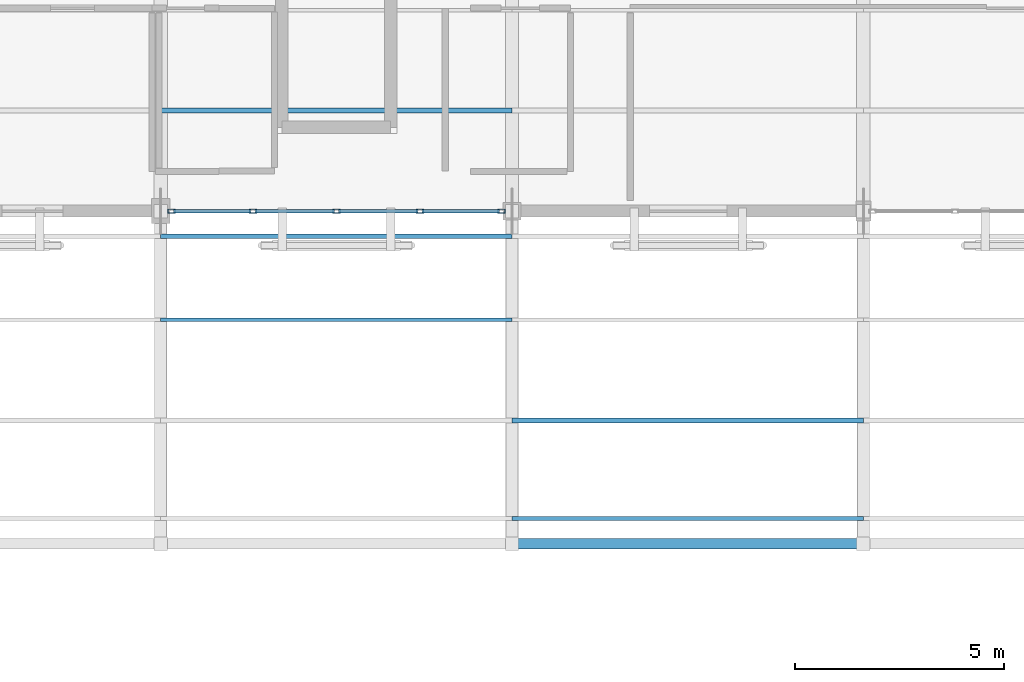
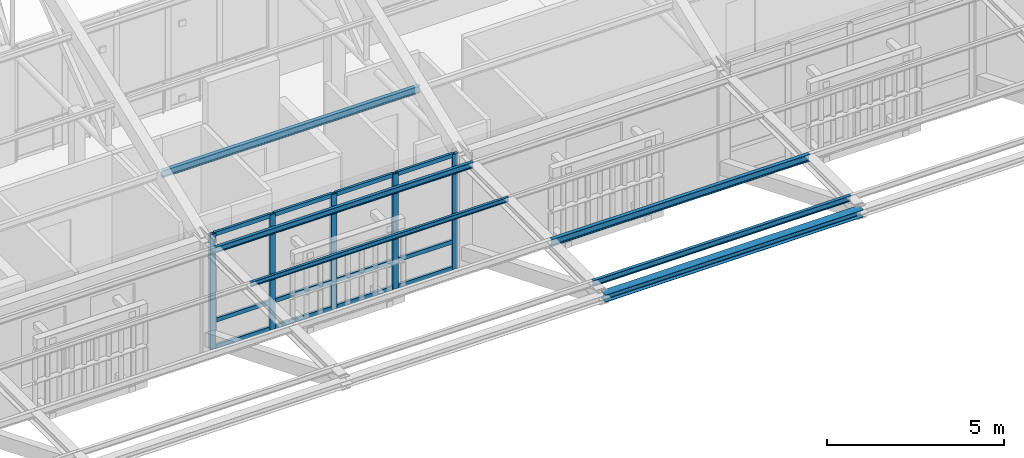
# One storey, part 81 of 217: 22 members, 1 beam, 1 element without a shape of its own.
"""IFC4 building model written with IfcOpenShell, lengths in metres."""

from ifc_helpers import new_model, si_unit, direction, frame, origin, origin_2d, place, context, subcontext, project, spatial, hollow_rectangle, i_section, extrude, material, layer, layer_set, material_profile, profile_set, type_object, element, aggregate, save


model = new_model("IFC4")

# Units and contexts
model_context = context("Model", 3, precision=1e-05, world=origin(), true_north=direction((0.0, 1.0)))
body_context = subcontext(model_context, "Body", "Model", "MODEL_VIEW")
ifc_project = project(units=[si_unit("LENGTHUNIT", "METRE"), si_unit("AREAUNIT", "SQUARE_METRE"), si_unit("VOLUMEUNIT", "CUBIC_METRE"), si_unit("PLANEANGLEUNIT", "RADIAN"), si_unit("MASSUNIT", "GRAM", prefix="KILO")], contexts=[model_context])

# Site, building, storey
site_placement = place(None, origin())
site = spatial("IfcSite", under=ifc_project, at=site_placement, CompositionType="ELEMENT")
building_placement = place(site_placement, origin())
building = spatial("IfcBuilding", under=site, at=building_placement, Name="Mazaris Harbour Polytechnic", CompositionType="ELEMENT")
storey_placement = place(building_placement, frame((0.0, 0.0, 9.60009765625)))
storey = spatial("IfcBuildingStorey", under=building, at=storey_placement, Name="L02", CompositionType="ELEMENT", Elevation=9.60009765625)

# Curtain wall, members
ifc_material_1 = material(Name="Anodised Bronze Aluminium and Low-E Glass", Category="aluminium")
ifc_layer = layer(ifc_material_1, 0.14990234375, Name="Anodised Bronze Aluminium and Low-E Glass")
ifc_layer_set = layer_set([ifc_layer], Name="Anodised Bronze Aluminium and Low-E Glass")
curtain_wall_type = type_object("IfcCurtainWallType", Name="Workshop Clerestory Curtain Wall", PredefinedType="NOTDEFINED", material=ifc_layer_set)
curtain_wall_placement = place(storey_placement, origin())
curtain_wall = element("IfcCurtainWall", 1, at=curtain_wall_placement, inside=storey, type_object=curtain_wall_type, Name="V1 L02 Curtain Wall 26", PredefinedType="NOTDEFINED")
ifc_material_2 = material(Name="Anodised Bronze Steel S355", Category="steel")
ifc_material_profile_1 = material_profile(ifc_material_2, hollow_rectangle(XDim=0.10009765625, YDim=0.179931640625, WallThickness=0.008056640625, at=origin_2d()), Name="RHS 100x180x8.0")
ifc_profile_set_1 = profile_set([ifc_material_profile_1], Name="Anodised Bronze Steel S355")
member_type_1 = type_object("IfcMemberType", Name="Curtain Mullion RHS100x180", PredefinedType="MULLION", material=ifc_profile_set_1)
member_1_placement = place(storey_placement, frame((78.947998046875, 75.60009765625, 0.0), z_axis=(0.0, 0.0, 1.0), x_axis=(0.0, -1.0, 0.0)))
member_1 = element("IfcMember", 2, at=member_1_placement, type_object=member_type_1, Name="CW-04 mullion 1", PredefinedType="MULLION", context=body_context, shape_type="SweptSolid", body=[
    extrude(hollow_rectangle(XDim=0.10009765625, YDim=0.179931640625, WallThickness=0.008056640625, at=origin_2d()), origin(), (0.0, 0.0, 1.0), 3.9599609375),
])
member_2_placement = place(storey_placement, frame((77.00146484375, 75.60009765625, 0.0), z_axis=(0.0, 0.0, 1.0), x_axis=(0.0, -1.0, 0.0)))
member_2 = element("IfcMember", 3, at=member_2_placement, type_object=member_type_1, Name="CW-04 mullion 2", PredefinedType="MULLION", context=body_context, shape_type="SweptSolid", body=[
    extrude(hollow_rectangle(XDim=0.10009765625, YDim=0.179931640625, WallThickness=0.008056640625, at=origin_2d()), origin(), (0.0, 0.0, 1.0), 3.9599609375),
])
member_3_placement = place(storey_placement, frame((75.0048828125, 75.60009765625, 0.0), z_axis=(0.0, 0.0, 1.0), x_axis=(0.0, -1.0, 0.0)))
member_3 = element("IfcMember", 4, at=member_3_placement, type_object=member_type_1, Name="CW-04 mullion 3", PredefinedType="MULLION", context=body_context, shape_type="SweptSolid", body=[
    extrude(hollow_rectangle(XDim=0.10009765625, YDim=0.179931640625, WallThickness=0.008056640625, at=origin_2d()), origin(), (0.0, 0.0, 1.0), 3.9599609375),
])
member_4_placement = place(storey_placement, frame((73.008544921875, 75.60009765625, 0.0), z_axis=(0.0, 0.0, 1.0), x_axis=(0.0, -1.0, 0.0)))
member_4 = element("IfcMember", 5, at=member_4_placement, type_object=member_type_1, Name="CW-04 mullion 4", PredefinedType="MULLION", context=body_context, shape_type="SweptSolid", body=[
    extrude(hollow_rectangle(XDim=0.10009765625, YDim=0.179931640625, WallThickness=0.008056640625, at=origin_2d()), origin(), (0.0, 0.0, 1.0), 3.9599609375),
])
member_5_placement = place(storey_placement, frame((71.06201171875, 75.60009765625, 0.0), z_axis=(0.0, 0.0, 1.0), x_axis=(0.0, -1.0, 0.0)))
member_5 = element("IfcMember", 6, at=member_5_placement, type_object=member_type_1, Name="CW-04 mullion 5", PredefinedType="MULLION", context=body_context, shape_type="SweptSolid", body=[
    extrude(hollow_rectangle(XDim=0.10009765625, YDim=0.179931640625, WallThickness=0.008056640625, at=origin_2d()), origin(), (0.0, 0.0, 1.0), 3.9599609375),
])
ifc_material_3 = material(Name="Anodised Bronze Steel S355", Category="steel")
ifc_material_profile_2 = material_profile(ifc_material_3, hollow_rectangle(XDim=0.080078125, YDim=0.139892578125, WallThickness=0.00634765625, at=origin_2d()), Name="RHS 80x140x6.3")
ifc_profile_set_2 = profile_set([ifc_material_profile_2], Name="Anodised Bronze Steel S355")
member_type_2 = type_object("IfcMemberType", Name="Curtain Transom RHS80x140", PredefinedType="USERDEFINED", material=ifc_profile_set_2)
member_6_placement = place(storey_placement, frame((78.89794921875, 75.60009765625, 0.039794921875), z_axis=(-1.0, 0.0, 0.0), x_axis=(0.0, -1.0, 0.0)))
member_6 = element("IfcMember", 7, at=member_6_placement, type_object=member_type_2, Name="CW-04 transom 1.1", ObjectType="TRANSOM", PredefinedType="USERDEFINED", context=body_context, shape_type="SweptSolid", body=[
    extrude(hollow_rectangle(XDim=0.080078125, YDim=0.139892578125, WallThickness=0.00634765625, at=origin_2d()), origin(), (0.0, 0.0, 1.0), 1.846435546875),
])
member_7_placement = place(storey_placement, frame((78.89794921875, 75.60009765625, 0.949951171875), z_axis=(-1.0, 0.0, 0.0), x_axis=(0.0, -1.0, 0.0)))
member_7 = element("IfcMember", 8, at=member_7_placement, type_object=member_type_2, Name="CW-04 transom 1.2", ObjectType="TRANSOM", PredefinedType="USERDEFINED", context=body_context, shape_type="SweptSolid", body=[
    extrude(hollow_rectangle(XDim=0.080078125, YDim=0.139892578125, WallThickness=0.00634765625, at=origin_2d()), origin(), (0.0, 0.0, 1.0), 1.846435546875),
])
member_8_placement = place(storey_placement, frame((78.89794921875, 75.60009765625, 3.919921875), z_axis=(-1.0, 0.0, 0.0), x_axis=(0.0, -1.0, 0.0)))
member_8 = element("IfcMember", 9, at=member_8_placement, type_object=member_type_2, Name="CW-04 transom 1.3", ObjectType="TRANSOM", PredefinedType="USERDEFINED", context=body_context, shape_type="SweptSolid", body=[
    extrude(hollow_rectangle(XDim=0.080078125, YDim=0.139892578125, WallThickness=0.00634765625, at=origin_2d()), origin(), (0.0, 0.0, 1.0), 1.846435546875),
])
member_9_placement = place(storey_placement, frame((76.951416015625, 75.60009765625, 0.039794921875), z_axis=(-1.0, 0.0, 0.0), x_axis=(0.0, -1.0, 0.0)))
member_9 = element("IfcMember", 10, at=member_9_placement, type_object=member_type_2, Name="CW-04 transom 2.1", ObjectType="TRANSOM", PredefinedType="USERDEFINED", context=body_context, shape_type="SweptSolid", body=[
    extrude(hollow_rectangle(XDim=0.080078125, YDim=0.139892578125, WallThickness=0.00634765625, at=origin_2d()), origin(), (0.0, 0.0, 1.0), 1.896484375),
])
member_10_placement = place(storey_placement, frame((76.951416015625, 75.60009765625, 0.949951171875), z_axis=(-1.0, 0.0, 0.0), x_axis=(0.0, -1.0, 0.0)))
member_10 = element("IfcMember", 11, at=member_10_placement, type_object=member_type_2, Name="CW-04 transom 2.2", ObjectType="TRANSOM", PredefinedType="USERDEFINED", context=body_context, shape_type="SweptSolid", body=[
    extrude(hollow_rectangle(XDim=0.080078125, YDim=0.139892578125, WallThickness=0.00634765625, at=origin_2d()), origin(), (0.0, 0.0, 1.0), 1.896484375),
])
member_11_placement = place(storey_placement, frame((76.951416015625, 75.60009765625, 3.919921875), z_axis=(-1.0, 0.0, 0.0), x_axis=(0.0, -1.0, 0.0)))
member_11 = element("IfcMember", 12, at=member_11_placement, type_object=member_type_2, Name="CW-04 transom 2.3", ObjectType="TRANSOM", PredefinedType="USERDEFINED", context=body_context, shape_type="SweptSolid", body=[
    extrude(hollow_rectangle(XDim=0.080078125, YDim=0.139892578125, WallThickness=0.00634765625, at=origin_2d()), origin(), (0.0, 0.0, 1.0), 1.896484375),
])
member_12_placement = place(storey_placement, frame((74.955078125, 75.60009765625, 0.039794921875), z_axis=(-1.0, 0.0, 0.0), x_axis=(0.0, -1.0, 0.0)))
member_12 = element("IfcMember", 13, at=member_12_placement, type_object=member_type_2, Name="CW-04 transom 3.1", ObjectType="TRANSOM", PredefinedType="USERDEFINED", context=body_context, shape_type="SweptSolid", body=[
    extrude(hollow_rectangle(XDim=0.080078125, YDim=0.139892578125, WallThickness=0.00634765625, at=origin_2d()), origin(), (0.0, 0.0, 1.0), 1.896484375),
])
member_13_placement = place(storey_placement, frame((74.955078125, 75.60009765625, 0.949951171875), z_axis=(-1.0, 0.0, 0.0), x_axis=(0.0, -1.0, 0.0)))
member_13 = element("IfcMember", 14, at=member_13_placement, type_object=member_type_2, Name="CW-04 transom 3.2", ObjectType="TRANSOM", PredefinedType="USERDEFINED", context=body_context, shape_type="SweptSolid", body=[
    extrude(hollow_rectangle(XDim=0.080078125, YDim=0.139892578125, WallThickness=0.00634765625, at=origin_2d()), origin(), (0.0, 0.0, 1.0), 1.896484375),
])
member_14_placement = place(storey_placement, frame((74.955078125, 75.60009765625, 3.919921875), z_axis=(-1.0, 0.0, 0.0), x_axis=(0.0, -1.0, 0.0)))
member_14 = element("IfcMember", 15, at=member_14_placement, type_object=member_type_2, Name="CW-04 transom 3.3", ObjectType="TRANSOM", PredefinedType="USERDEFINED", context=body_context, shape_type="SweptSolid", body=[
    extrude(hollow_rectangle(XDim=0.080078125, YDim=0.139892578125, WallThickness=0.00634765625, at=origin_2d()), origin(), (0.0, 0.0, 1.0), 1.896484375),
])
member_15_placement = place(storey_placement, frame((72.95849609375, 75.60009765625, 0.039794921875), z_axis=(-1.0, 0.0, 0.0), x_axis=(0.0, -1.0, 0.0)))
member_15 = element("IfcMember", 16, at=member_15_placement, type_object=member_type_2, Name="CW-04 transom 4.1", ObjectType="TRANSOM", PredefinedType="USERDEFINED", context=body_context, shape_type="SweptSolid", body=[
    extrude(hollow_rectangle(XDim=0.080078125, YDim=0.139892578125, WallThickness=0.00634765625, at=origin_2d()), origin(), (0.0, 0.0, 1.0), 1.846435546875),
])
member_16_placement = place(storey_placement, frame((72.95849609375, 75.60009765625, 0.949951171875), z_axis=(-1.0, 0.0, 0.0), x_axis=(0.0, -1.0, 0.0)))
member_16 = element("IfcMember", 17, at=member_16_placement, type_object=member_type_2, Name="CW-04 transom 4.2", ObjectType="TRANSOM", PredefinedType="USERDEFINED", context=body_context, shape_type="SweptSolid", body=[
    extrude(hollow_rectangle(XDim=0.080078125, YDim=0.139892578125, WallThickness=0.00634765625, at=origin_2d()), origin(), (0.0, 0.0, 1.0), 1.846435546875),
])
member_17_placement = place(storey_placement, frame((72.95849609375, 75.60009765625, 3.919921875), z_axis=(-1.0, 0.0, 0.0), x_axis=(0.0, -1.0, 0.0)))
member_17 = element("IfcMember", 18, at=member_17_placement, type_object=member_type_2, Name="CW-04 transom 4.3", ObjectType="TRANSOM", PredefinedType="USERDEFINED", context=body_context, shape_type="SweptSolid", body=[
    extrude(hollow_rectangle(XDim=0.080078125, YDim=0.139892578125, WallThickness=0.00634765625, at=origin_2d()), origin(), (0.0, 0.0, 1.0), 1.846435546875),
])
aggregate(curtain_wall, [member_1, member_2, member_3, member_4, member_5, member_6, member_7, member_8, member_9, member_10, member_11, member_12, member_13, member_14, member_15, member_16, member_17])

# Beam
ifc_material_4 = material(Name="Steel S355", Category="steel")
ifc_material_profile_3 = material_profile(ifc_material_4, i_section(OverallWidth=0.260009765625, OverallDepth=0.25, WebThickness=0.007568359375, FlangeThickness=0.012451171875, FilletRadius=0.02392578125, at=origin_2d()), Name="HEA 260")
ifc_profile_set_3 = profile_set([ifc_material_profile_3], Name="Steel S355")
beam_type = type_object("IfcBeamType", Name="Steel Beam HEA260 Exterior", PredefinedType="SPANDREL", material=ifc_profile_set_3)
beam_placement = place(storey_placement, frame((79.199951171875, 67.64990234375, 3.75), z_axis=(1.0, 0.0, 0.0), x_axis=(0.0, 1.0, 0.0)))
element("IfcBeam", 19, at=beam_placement, inside=storey, type_object=beam_type, Name="V1 Eave Fascia Beam 4", PredefinedType="SPANDREL", context=body_context, shape_type="SweptSolid", body=[
    extrude(i_section(OverallWidth=0.260009765625, OverallDepth=0.25, WebThickness=0.007568359375, FlangeThickness=0.012451171875, FilletRadius=0.02392578125, at=origin_2d()), origin(), (0.0, 0.0, 1.0), 8.400146484375),
])

# Members
ifc_material_5 = material(Name="Steel S355", Category="steel")
ifc_material_profile_4 = material_profile(ifc_material_5, i_section(OverallWidth=0.08203125, OverallDepth=0.159912109375, WebThickness=0.0048828125, FlangeThickness=0.00732421875, FilletRadius=0.009033203125, at=origin_2d()), Name="IPE 160")
ifc_profile_set_4 = profile_set([ifc_material_profile_4], Name="Steel S355")
member_type_3 = type_object("IfcMemberType", Name="Steel Purlin IPE160 Exterior", PredefinedType="PURLIN", material=ifc_profile_set_4)
member_18_placement = place(storey_placement, frame((70.800048828125, 73.0, 3.875), z_axis=(1.0, 0.0, 0.0), x_axis=(0.0, 1.0, 0.0)))
element("IfcMember", 20, at=member_18_placement, inside=storey, type_object=member_type_3, Name="V1 Roof Purlin S-45", PredefinedType="PURLIN", context=body_context, shape_type="SweptSolid", body=[
    extrude(i_section(OverallWidth=0.08203125, OverallDepth=0.159912109375, WebThickness=0.0048828125, FlangeThickness=0.00732421875, FilletRadius=0.009033203125, at=origin_2d()), origin(), (0.0, 0.0, 1.0), 8.39990234375),
])
ifc_material_6 = material(Name="Steel S355", Category="steel")
ifc_material_profile_5 = material_profile(ifc_material_6, i_section(OverallWidth=0.10009765625, OverallDepth=0.199951171875, WebThickness=0.005615234375, FlangeThickness=0.008544921875, FilletRadius=0.011962890625, at=origin_2d()), Name="IPE 200")
ifc_profile_set_5 = profile_set([ifc_material_profile_5], Name="Steel S355")
member_type_4 = type_object("IfcMemberType", Name="Steel Purlin IPE200 Exterior", PredefinedType="PURLIN", material=ifc_profile_set_5)
member_19_placement = place(storey_placement, frame((70.800048828125, 75.0, 3.85498046875), z_axis=(1.0, 0.0, 0.0), x_axis=(0.0, 1.0, 0.0)))
element("IfcMember", 21, at=member_19_placement, inside=storey, type_object=member_type_4, Name="V1 Roof Purlin S-46", PredefinedType="PURLIN", context=body_context, shape_type="SweptSolid", body=[
    extrude(i_section(OverallWidth=0.10009765625, OverallDepth=0.199951171875, WebThickness=0.005615234375, FlangeThickness=0.008544921875, FilletRadius=0.011962890625, at=origin_2d()), origin(), (0.0, 0.0, 1.0), 8.39990234375),
])
member_20_placement = place(storey_placement, frame((79.199951171875, 68.25, 3.85498046875), z_axis=(1.0, 0.0, 0.0), x_axis=(0.0, 1.0, 0.0)))
element("IfcMember", 22, at=member_20_placement, inside=storey, type_object=member_type_4, Name="V1 Roof Purlin S-64", PredefinedType="PURLIN", context=body_context, shape_type="SweptSolid", body=[
    extrude(i_section(OverallWidth=0.10009765625, OverallDepth=0.199951171875, WebThickness=0.005615234375, FlangeThickness=0.008544921875, FilletRadius=0.011962890625, at=origin_2d()), origin(), (0.0, 0.0, 1.0), 8.400146484375),
])
ifc_material_7 = material(Name="Steel S355", Category="steel")
ifc_material_profile_6 = material_profile(ifc_material_7, i_section(OverallWidth=0.1201171875, OverallDepth=0.239990234375, WebThickness=0.006103515625, FlangeThickness=0.009765625, FilletRadius=0.014892578125, at=origin_2d()), Name="IPE 240")
ifc_profile_set_6 = profile_set([ifc_material_profile_6], Name="Steel S355")
member_type_5 = type_object("IfcMemberType", Name="Steel Purlin IPE240", PredefinedType="PURLIN", material=ifc_profile_set_6)
member_21_placement = place(storey_placement, frame((70.800048828125, 78.0, 4.651123046875), z_axis=(1.0, 0.0, 0.0), x_axis=(0.0, 1.0, 0.0)))
element("IfcMember", 23, at=member_21_placement, inside=storey, type_object=member_type_5, Name="V1 Roof Purlin S-47", PredefinedType="PURLIN", context=body_context, shape_type="SweptSolid", body=[
    extrude(i_section(OverallWidth=0.1201171875, OverallDepth=0.239990234375, WebThickness=0.006103515625, FlangeThickness=0.009765625, FilletRadius=0.014892578125, at=origin_2d()), origin(), (0.0, 0.0, 1.0), 8.39990234375),
])
ifc_material_8 = material(Name="Steel S355", Category="steel")
ifc_material_profile_7 = material_profile(ifc_material_8, i_section(OverallWidth=0.1201171875, OverallDepth=0.239990234375, WebThickness=0.006103515625, FlangeThickness=0.009765625, FilletRadius=0.014892578125, at=origin_2d()), Name="IPE 240")
ifc_profile_set_7 = profile_set([ifc_material_profile_7], Name="Steel S355")
member_type_6 = type_object("IfcMemberType", Name="Steel Purlin IPE240 Exterior", PredefinedType="PURLIN", material=ifc_profile_set_7)
member_22_placement = place(storey_placement, frame((79.199951171875, 70.60009765625, 3.8349609375), z_axis=(1.0, 0.0, 0.0), x_axis=(0.0, 1.0, 0.0)))
element("IfcMember", 24, at=member_22_placement, inside=storey, type_object=member_type_6, Name="V1 Roof Purlin S-65", PredefinedType="PURLIN", context=body_context, shape_type="SweptSolid", body=[
    extrude(i_section(OverallWidth=0.1201171875, OverallDepth=0.239990234375, WebThickness=0.006103515625, FlangeThickness=0.009765625, FilletRadius=0.014892578125, at=origin_2d()), origin(), (0.0, 0.0, 1.0), 8.400146484375),
])

save(model, "model.ifc")
